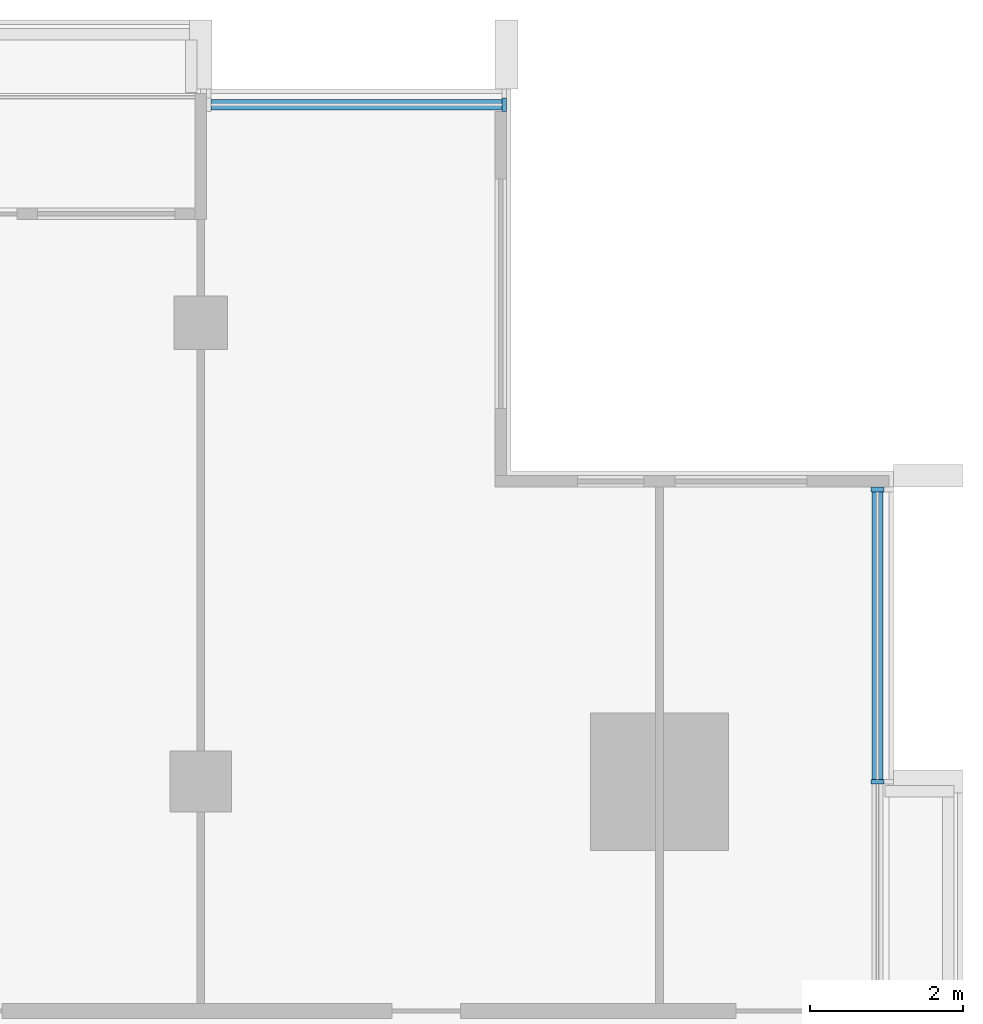
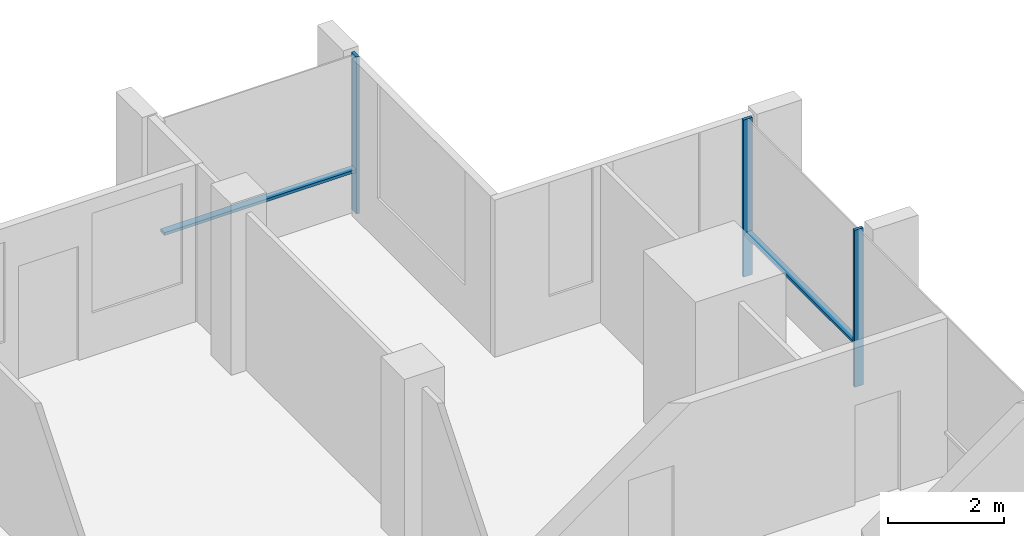
# One storey, part 5 of 15: 5 members, 2 elements without a shape of their own.
"""IFC4 building model written with IfcOpenShell, lengths in metres."""

from ifc_helpers import new_model, si_unit, direction, frame, origin, origin_2d, place, context, subcontext, project, spatial, rectangle, extrude, material, material_profile, profile_set, type_object, element, aggregate, save


model = new_model("IFC4")

# Units and contexts
model_context = context("Model", 3, precision=1e-05, world=origin(), true_north=direction((0.0, 1.0)))
body_context = subcontext(model_context, "Body", "Model", "MODEL_VIEW")
ifc_project = project(units=[si_unit("LENGTHUNIT", "METRE"), si_unit("AREAUNIT", "SQUARE_METRE"), si_unit("VOLUMEUNIT", "CUBIC_METRE"), si_unit("PLANEANGLEUNIT", "RADIAN"), si_unit("MASSUNIT", "GRAM", prefix="KILO")], contexts=[model_context])

# Site, building, storey
site_placement = place(None, origin())
site = spatial("IfcSite", under=ifc_project, at=site_placement, CompositionType="ELEMENT")
building_placement = place(site_placement, origin())
building = spatial("IfcBuilding", under=site, at=building_placement, Name="Finial Court Residences", CompositionType="ELEMENT")
storey_placement = place(building_placement, frame((0.0, 0.0, 273.5)))
storey = spatial("IfcBuildingStorey", under=building, at=storey_placement, Name="L69", CompositionType="ELEMENT", Elevation=273.5)

# Curtain wall, member
ifc_material = material(Name="Bronze anodised aluminium", Category="aluminium")
curtain_wall_type = type_object("IfcCurtainWallType", Name="Unitised curtain wall, upper zones", PredefinedType="NOTDEFINED", material=ifc_material)
curtain_wall_1_placement = place(storey_placement, origin())
curtain_wall_1 = element("IfcCurtainWall", 1, at=curtain_wall_1_placement, inside=storey, type_object=curtain_wall_type, Name="E-L69-CW-N3", PredefinedType="NOTDEFINED")
ifc_material_profile_1 = material_profile(ifc_material, rectangle(XDim=0.175048828125, YDim=0.06005859375, at=origin_2d()), Name="CW2 mullion 60 x 175")
ifc_profile_set_1 = profile_set([ifc_material_profile_1], Name="Bronze anodised aluminium")
member_type_1 = type_object("IfcMemberType", Name="CW2 mullion 60 x 175", PredefinedType="MULLION", material=ifc_profile_set_1)
member_1_placement = place(storey_placement, frame((14.469970703125, 16.35009765625, 0.0), z_axis=(0.0, 0.0, 1.0), x_axis=(0.0, 1.0, 0.0)))
member_1 = element("IfcMember", 2, at=member_1_placement, type_object=member_type_1, Name="CW2 mullion 2", PredefinedType="MULLION", context=body_context, shape_type="SweptSolid", body=[
    extrude(rectangle(XDim=0.175048828125, YDim=0.06005859375, at=origin_2d()), origin(), (0.0, 0.0, 1.0), 3.300048828125),
])

# Curtain wall, members
curtain_wall_2_placement = place(storey_placement, origin())
curtain_wall_2 = element("IfcCurtainWall", 3, at=curtain_wall_2_placement, inside=storey, type_object=curtain_wall_type, Name="E-L69-CW-E6", PredefinedType="NOTDEFINED")
member_2_placement = place(storey_placement, frame((19.35009765625, 7.5, 0.0), z_axis=(0.0, 0.0, 1.0), x_axis=(-1.0, 0.0, 0.0)))
member_2 = element("IfcMember", 4, at=member_2_placement, type_object=member_type_1, Name="CW2 mullion 2", PredefinedType="MULLION", context=body_context, shape_type="SweptSolid", body=[
    extrude(rectangle(XDim=0.175048828125, YDim=0.06005859375, at=origin_2d()), origin(), (0.0, 0.0, 1.0), 3.300048828125),
])
member_3_placement = place(storey_placement, frame((19.35009765625, 11.320068359375, 0.0), z_axis=(0.0, 0.0, 1.0), x_axis=(-1.0, 0.0, 0.0)))
member_3 = element("IfcMember", 5, at=member_3_placement, type_object=member_type_1, Name="CW2 mullion 3", PredefinedType="MULLION", context=body_context, shape_type="SweptSolid", body=[
    extrude(rectangle(XDim=0.175048828125, YDim=0.06005859375, at=origin_2d()), origin(), (0.0, 0.0, 1.0), 3.300048828125),
])

# Member
ifc_material_profile_2 = material_profile(ifc_material, rectangle(XDim=0.139892578125, YDim=0.06005859375, at=origin_2d()), Name="CW2 transom 60 x 140")
ifc_profile_set_2 = profile_set([ifc_material_profile_2], Name="Bronze anodised aluminium")
member_type_2 = type_object("IfcMemberType", Name="CW2 transom 60 x 140", PredefinedType="USERDEFINED", material=ifc_profile_set_2)
member_4_placement = place(storey_placement, frame((10.635009765625, 16.35009765625, 0.89990234375), z_axis=(1.0, 0.0, 0.0), x_axis=(0.0, 1.0, 0.0)))
member_4 = element("IfcMember", 6, at=member_4_placement, type_object=member_type_2, Name="CW2 transom 1.1", ObjectType="TRANSOM", PredefinedType="USERDEFINED", context=body_context, shape_type="SweptSolid", body=[
    extrude(rectangle(XDim=0.139892578125, YDim=0.06005859375, at=origin_2d()), origin(), (0.0, 0.0, 1.0), 3.804931640625),
])

aggregate(curtain_wall_1, [member_1, member_4])

member_5_placement = place(storey_placement, frame((19.35009765625, 7.530029296875, 0.89990234375), z_axis=(0.0, 1.0, 0.0), x_axis=(-1.0, 0.0, 0.0)))
member_5 = element("IfcMember", 7, at=member_5_placement, type_object=member_type_2, Name="CW2 transom 2.1", ObjectType="TRANSOM", PredefinedType="USERDEFINED", context=body_context, shape_type="SweptSolid", body=[
    extrude(rectangle(XDim=0.139892578125, YDim=0.06005859375, at=origin_2d()), origin(), (0.0, 0.0, 1.0), 3.760009765625),
])

aggregate(curtain_wall_2, [member_2, member_3, member_5])

save(model, "model.ifc")
